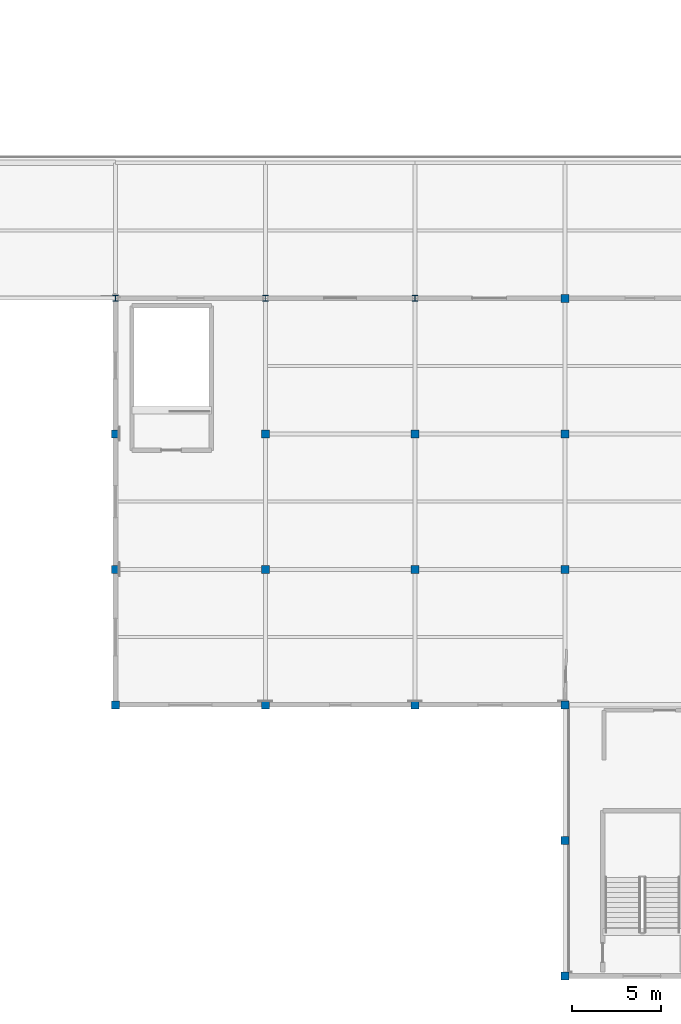
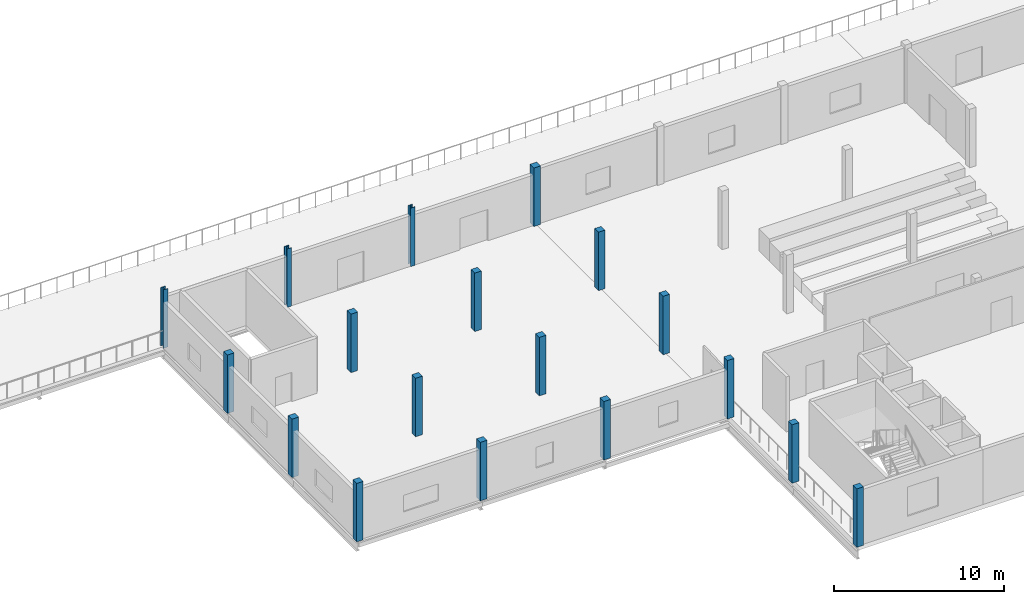
# One storey, part 1 of 57: 18 columns.
"""IFC4 building model written with IfcOpenShell, lengths in metres."""

from ifc_helpers import new_model, si_unit, direction, frame, origin, origin_2d, place, context, subcontext, project, spatial, rectangle, i_section, extrude, material, material_profile, profile_set, type_object, element, save


model = new_model("IFC4")

# Units and contexts
model_context = context("Model", 3, precision=1e-05, world=origin(), true_north=direction((0.0, 1.0)))
body_context = subcontext(model_context, "Body", "Model", "MODEL_VIEW")
ifc_project = project(units=[si_unit("LENGTHUNIT", "METRE"), si_unit("AREAUNIT", "SQUARE_METRE"), si_unit("VOLUMEUNIT", "CUBIC_METRE"), si_unit("PLANEANGLEUNIT", "RADIAN"), si_unit("MASSUNIT", "GRAM", prefix="KILO")], contexts=[model_context])

# Site, building, storey
site_placement = place(None, origin())
site = spatial("IfcSite", under=ifc_project, at=site_placement, CompositionType="ELEMENT")
building_placement = place(site_placement, origin())
building = spatial("IfcBuilding", under=site, at=building_placement, Name="Zuvorla Pavilion Media Centre", CompositionType="ELEMENT")
storey_placement = place(building_placement, frame((0.0, 0.0, 18.0)))
storey = spatial("IfcBuildingStorey", under=building, at=storey_placement, Name="L04", CompositionType="ELEMENT", Elevation=18.0)

# Columns
ifc_material_1 = material(Name="Concrete C40/50", Category="concrete")
ifc_material_profile_1 = material_profile(ifc_material_1, rectangle(XDim=0.449951171875, YDim=0.449951171875, at=origin_2d()), Name="RC 450x450")
ifc_profile_set_1 = profile_set([ifc_material_profile_1], Name="Concrete C40/50")
column_type_1 = type_object("IfcColumnType", Name="COL-RC450", PredefinedType="COLUMN", material=ifc_profile_set_1)
for number, where, z_axis, x_axis, name in (
    (1, (66.800048828125, 6.0, 0.0), (0.0, 0.0, 1.0), (1.0, 0.0, 0.0), "L04 column C04 30"),
    (2, (66.800048828125, 13.60009765625, 0.0), (0.0, 0.0, 1.0), (1.0, 0.0, 0.0), "L04 column C04 128"),
    (3, (41.60009765625, 21.199951171875, 0.0), (0.0, 0.0, 1.0), (1.0, 0.0, 0.0), "L04 column C04 211"),
    (4, (50.0, 21.199951171875, 0.0), (0.0, 0.0, 1.0), (1.0, 0.0, 0.0), "L04 column C04 217"),
    (5, (58.39990234375, 21.199951171875, 0.0), (0.0, 0.0, 1.0), (1.0, 0.0, 0.0), "L04 column C04 223"),
    (6, (66.800048828125, 21.199951171875, 0.0), (0.0, 0.0, 1.0), (1.0, 0.0, 0.0), "L04 column C04 229"),
    (7, (41.60009765625, 28.800048828125, 0.0), (0.0, 0.0, 1.0), (1.0, 0.0, 0.0), "L04 column C04 298"),
    (8, (50.0, 28.800048828125, 0.0), (0.0, 0.0, 1.0), (1.0, 0.0, 0.0), "L04 column C04 304"),
    (9, (58.39990234375, 28.800048828125, 0.0), (0.0, 0.0, 1.0), (1.0, 0.0, 0.0), "L04 column C04 310"),
    (10, (66.800048828125, 28.800048828125, 0.0), (0.0, 0.0, 1.0), (1.0, 0.0, 0.0), "L04 column C04 316"),
    (11, (41.60009765625, 36.39990234375, 0.0), (0.0, 0.0, 1.0), (1.0, 0.0, 0.0), "L04 column C04 388"),
    (12, (50.0, 36.39990234375, 0.0), (0.0, 0.0, 1.0), (1.0, 0.0, 0.0), "L04 column C04 394"),
    (13, (58.39990234375, 36.39990234375, 0.0), (0.0, 0.0, 1.0), (1.0, 0.0, 0.0), "L04 column C04 400"),
    (14, (66.800048828125, 36.39990234375, 0.0), (0.0, 0.0, 1.0), (1.0, 0.0, 0.0), "L04 column C04 406"),
    (15, (66.800048828125, 44.0, 0.0), (0.0, 0.0, 1.0), (1.0, 0.0, 0.0), "L04 column C04 512"),
):
    element("IfcColumn", number, at=place(storey_placement, frame(where, z_axis=z_axis, x_axis=x_axis)), inside=storey, type_object=column_type_1, Name=name, PredefinedType="COLUMN", context=body_context, shape_type="SweptSolid", body=[
        extrude(rectangle(XDim=0.449951171875, YDim=0.449951171875, at=origin_2d()), origin(), (0.0, 0.0, 1.0), 4.199951171875),
    ])
ifc_material_2 = material(Name="Steel S355", Category="steel")
ifc_material_profile_2 = material_profile(ifc_material_2, i_section(OverallWidth=0.30908203125, OverallDepth=0.320556640625, WebThickness=0.013916015625, FlangeThickness=0.021728515625, FilletRadius=0.01513671875, at=origin_2d()), Name="UC 305x305x137")
ifc_profile_set_2 = profile_set([ifc_material_profile_2], Name="Steel S355")
column_type_2 = type_object("IfcColumnType", Name="COL-UC305", PredefinedType="COLUMN", material=ifc_profile_set_2)
for number, where, z_axis, x_axis, name in (
    (16, (41.60009765625, 44.0, 0.0), (0.0, 0.0, 1.0), (1.0, 0.0, 0.0), "L04 column C10 494"),
    (17, (50.0, 44.0, 0.0), (0.0, 0.0, 1.0), (1.0, 0.0, 0.0), "L04 column C10 500"),
    (18, (58.39990234375, 44.0, 0.0), (0.0, 0.0, 1.0), (1.0, 0.0, 0.0), "L04 column C10 506"),
):
    element("IfcColumn", number, at=place(storey_placement, frame(where, z_axis=z_axis, x_axis=x_axis)), inside=storey, type_object=column_type_2, Name=name, PredefinedType="COLUMN", context=body_context, shape_type="SweptSolid", body=[
        extrude(i_section(OverallWidth=0.30908203125, OverallDepth=0.320556640625, WebThickness=0.013916015625, FlangeThickness=0.021728515625, FilletRadius=0.01513671875, at=origin_2d()), origin(), (0.0, 0.0, 1.0), 4.199951171875),
    ])

save(model, "model.ifc")
